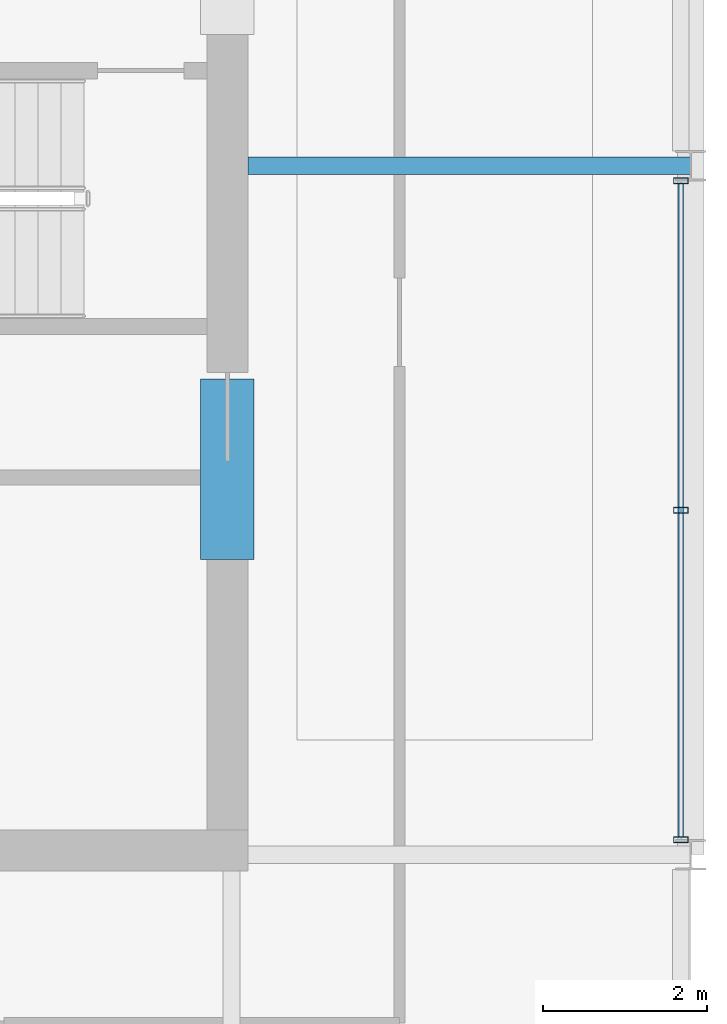
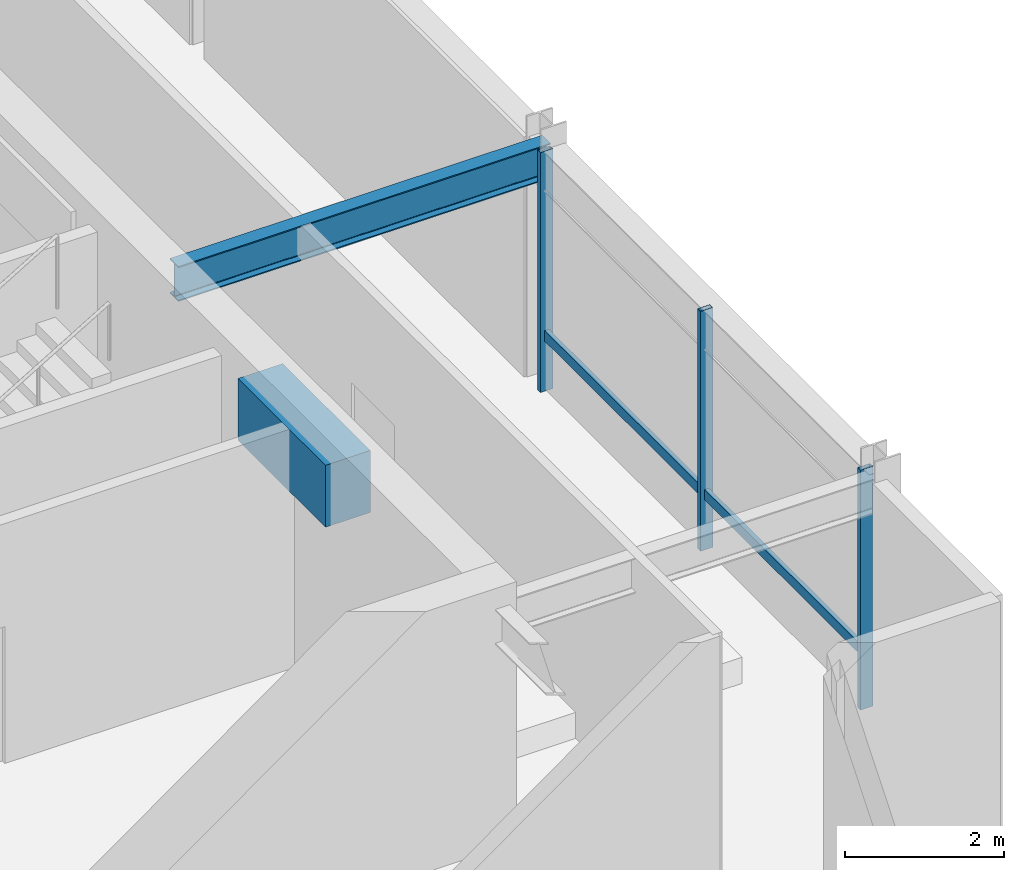
# One storey, part 6 of 12: 4 members, 2 beams, 1 element without a shape of its own.
"""IFC4 building model written with IfcOpenShell, lengths in metres."""

from ifc_helpers import new_model, si_unit, direction, frame, origin, origin_2d, place, context, subcontext, project, spatial, rectangle, hollow_rectangle, i_section, extrude, material, layer, layer_set, material_profile, profile_set, type_object, element, aggregate, save


model = new_model("IFC4")

# Units and contexts
model_context = context("Model", 3, precision=1e-05, world=origin(), true_north=direction((0.0, 1.0)))
body_context = subcontext(model_context, "Body", "Model", "MODEL_VIEW")
ifc_project = project(units=[si_unit("LENGTHUNIT", "METRE"), si_unit("AREAUNIT", "SQUARE_METRE"), si_unit("VOLUMEUNIT", "CUBIC_METRE"), si_unit("PLANEANGLEUNIT", "RADIAN"), si_unit("MASSUNIT", "GRAM", prefix="KILO")], contexts=[model_context])

# Site, building, storey
site_placement = place(None, origin())
site = spatial("IfcSite", under=ifc_project, at=site_placement, CompositionType="ELEMENT")
building_placement = place(site_placement, origin())
building = spatial("IfcBuilding", under=site, at=building_placement, Name="Drelvath Grand Hotel", CompositionType="ELEMENT")
storey_placement = place(building_placement, frame((0.0, 0.0, 315.39990234375)))
storey = spatial("IfcBuildingStorey", under=building, at=storey_placement, Name="L82", CompositionType="ELEMENT", Elevation=315.39990234375)

# Beam
ifc_material_1 = material(Name="Concrete f'c 55 MPa", Category="concrete")
ifc_material_profile_1 = material_profile(ifc_material_1, rectangle(XDim=0.64990234375, YDim=0.949951171875, at=origin_2d()), Name="CB650X950")
ifc_profile_set_1 = profile_set([ifc_material_profile_1], Name="Concrete f'c 55 MPa")
beam_type_1 = type_object("IfcBeamType", Name="Core Coupling Lintel CB650X950", PredefinedType="LINTEL", material=ifc_profile_set_1)
beam_1_placement = place(storey_placement, frame((8.35009765625, 22.199951171875, 3.205078125), z_axis=(0.0, 1.0, 0.0), x_axis=(-1.0, 0.0, 0.0)))
element("IfcBeam", 1, at=beam_1_placement, inside=storey, type_object=beam_type_1, Name="L82 Core Coupling Lintel ES", PredefinedType="LINTEL", context=body_context, shape_type="SweptSolid", body=[
    extrude(rectangle(XDim=0.64990234375, YDim=0.949951171875, at=origin_2d()), origin(), (0.0, 0.0, 1.0), 2.199951171875),
])

# Curtain wall, members
ifc_material_2 = material(Name="Pale-Metal Anodised Aluminium Crown Frame", Category="aluminium")
ifc_layer = layer(ifc_material_2, 0.199951171875)
ifc_layer_set = layer_set([ifc_layer], Name="Pale-Metal Anodised Aluminium Crown Frame")
curtain_wall_type = type_object("IfcCurtainWallType", Name="Stick Curtain Wall CW-06 Pale-Metal Crown Clerestory", PredefinedType="NOTDEFINED", material=ifc_layer_set)
curtain_wall_placement = place(storey_placement, origin())
curtain_wall = element("IfcCurtainWall", 2, at=curtain_wall_placement, inside=storey, type_object=curtain_wall_type, Name="L82 CW-06 Curtain Wall CW06-L82-E", PredefinedType="NOTDEFINED")
ifc_material_profile_2 = material_profile(ifc_material_2, hollow_rectangle(XDim=0.06494140625, YDim=0.159912109375, WallThickness=0.00390625, at=origin_2d()), Name="HSS160X65X4")
ifc_profile_set_2 = profile_set([ifc_material_profile_2], Name="Pale-Metal Anodised Aluminium Crown Frame")
member_type_1 = type_object("IfcMemberType", Name="Curtain Wall Horizontal Transom CW-06 HSS160X65X4", PredefinedType="USERDEFINED", material=ifc_profile_set_2)
member_1_placement = place(storey_placement, frame((13.8798828125, 26.77783203125, 0.85009765625), z_axis=(0.0, -1.0, 0.0), x_axis=(1.0, 0.0, 0.0)))
member_1 = element("IfcMember", 3, at=member_1_placement, type_object=member_type_1, Name="CW06-L82-E Sill Transom", ObjectType="TRANSOM", PredefinedType="USERDEFINED", context=body_context, shape_type="SweptSolid", body=[
    extrude(hollow_rectangle(XDim=0.06494140625, YDim=0.159912109375, WallThickness=0.00390625, at=origin_2d()), origin(), (0.0, 0.0, 1.0), 7.95556640625),
])
ifc_material_profile_3 = material_profile(ifc_material_2, hollow_rectangle(XDim=0.074951171875, YDim=0.179931640625, WallThickness=0.0048828125, at=origin_2d()), Name="HSS180X75X5")
ifc_profile_set_3 = profile_set([ifc_material_profile_3], Name="Pale-Metal Anodised Aluminium Crown Frame")
member_type_2 = type_object("IfcMemberType", Name="Curtain Wall Vertical Mullion CW-06 HSS180X75X5", PredefinedType="MULLION", material=ifc_profile_set_3)
member_2_placement = place(storey_placement, frame((13.8798828125, 26.81787109375, 0.0), z_axis=(0.0, 0.0, 1.0), x_axis=(0.0, 1.0, 0.0)))
member_2 = element("IfcMember", 4, at=member_2_placement, type_object=member_type_2, Name="CW06-L82-E Mullion 1", PredefinedType="MULLION", context=body_context, shape_type="SweptSolid", body=[
    extrude(hollow_rectangle(XDim=0.074951171875, YDim=0.179931640625, WallThickness=0.0048828125, at=origin_2d()), origin(), (0.0, 0.0, 1.0), 3.68017578125),
])
member_3_placement = place(storey_placement, frame((13.8798828125, 22.800048828125, 0.0), z_axis=(0.0, 0.0, 1.0), x_axis=(0.0, 1.0, 0.0)))
member_3 = element("IfcMember", 5, at=member_3_placement, type_object=member_type_2, Name="CW06-L82-E Mullion 2", PredefinedType="MULLION", context=body_context, shape_type="SweptSolid", body=[
    extrude(hollow_rectangle(XDim=0.074951171875, YDim=0.179931640625, WallThickness=0.0048828125, at=origin_2d()), origin(), (0.0, 0.0, 1.0), 3.68017578125),
])
member_4_placement = place(storey_placement, frame((13.8798828125, 18.7822265625, 0.0), z_axis=(0.0, 0.0, 1.0), x_axis=(0.0, 1.0, 0.0)))
member_4 = element("IfcMember", 6, at=member_4_placement, type_object=member_type_2, Name="CW06-L82-E Mullion 3", PredefinedType="MULLION", context=body_context, shape_type="SweptSolid", body=[
    extrude(hollow_rectangle(XDim=0.074951171875, YDim=0.179931640625, WallThickness=0.0048828125, at=origin_2d()), origin(), (0.0, 0.0, 1.0), 3.68017578125),
])
aggregate(curtain_wall, [member_2, member_3, member_4, member_1])

# Beam
ifc_material_3 = material(Name="Steel ASTM A992 Gr 50", Category="steel")
ifc_material_profile_4 = material_profile(ifc_material_3, i_section(OverallWidth=0.210205078125, OverallDepth=0.53662109375, WebThickness=0.010986328125, FlangeThickness=0.017333984375, FilletRadius=0.01806640625, at=origin_2d()), Name="W21X68")
ifc_profile_set_4 = profile_set([ifc_material_profile_4], Name="Steel ASTM A992 Gr 50")
beam_type_2 = type_object("IfcBeamType", Name="Primary Floor Girder W21X68", PredefinedType="BEAM", material=ifc_profile_set_4)
beam_2_placement = place(storey_placement, frame((8.60009765625, 27.0, 3.41162109375), z_axis=(1.0, 0.0, 0.0), x_axis=(0.0, 1.0, 0.0)))
element("IfcBeam", 7, at=beam_2_placement, inside=storey, type_object=beam_type_2, Name="L82 Crown Drum Tie East E", PredefinedType="BEAM", context=body_context, shape_type="SweptSolid", body=[
    extrude(i_section(OverallWidth=0.210205078125, OverallDepth=0.53662109375, WebThickness=0.010986328125, FlangeThickness=0.017333984375, FilletRadius=0.01806640625, at=origin_2d()), origin(), (0.0, 0.0, 1.0), 5.39990234375),
])

save(model, "model.ifc")
